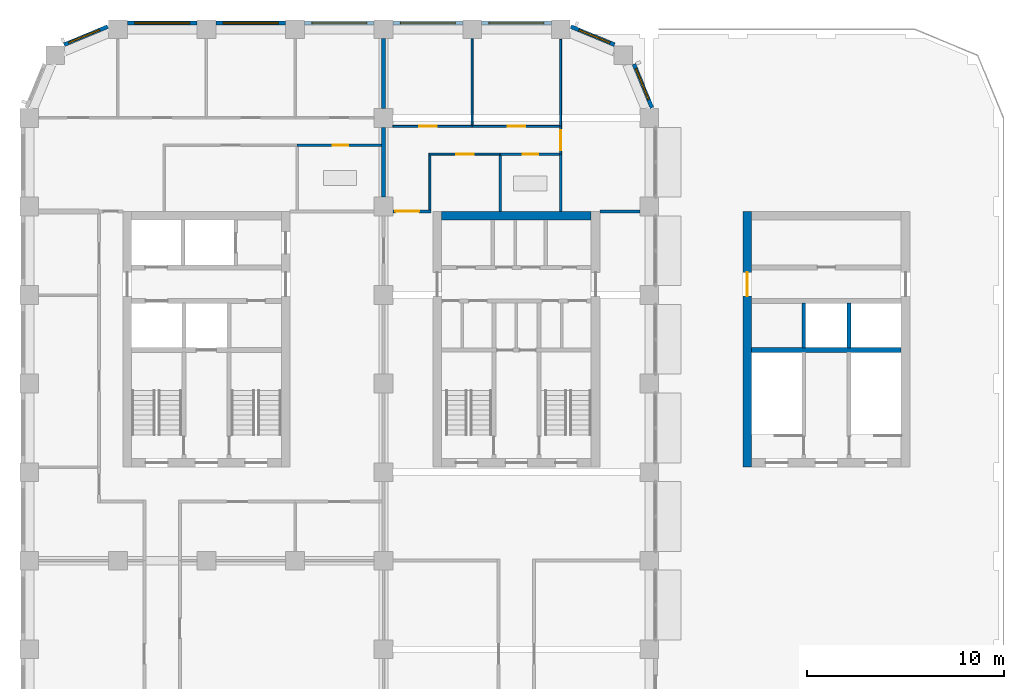
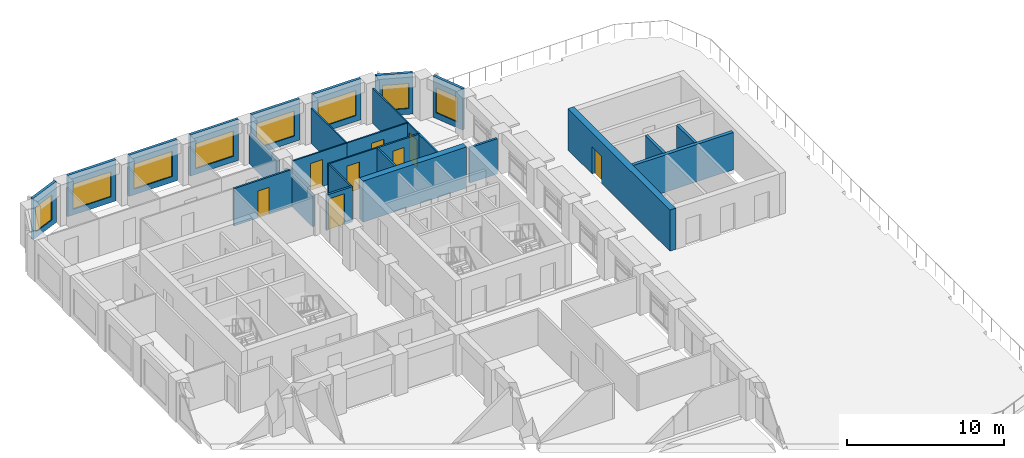
# One storey, part 11 of 15: 28 walls, 8 doors, 8 windows, 16 openings.
"""IFC4 building model written with IfcOpenShell, lengths in metres."""

from ifc_helpers import new_model, si_unit, direction, frame, frame_2d, origin, place, context, subcontext, project, spatial, rectangle, extrude, material, layer, layer_set, type_object, element, fill, save


model = new_model("IFC4")

# Units and contexts
model_context = context("Model", 3, precision=1e-05, world=origin(), true_north=direction((0.0, 1.0)))
body_context = subcontext(model_context, "Body", "Model", "MODEL_VIEW")
ifc_project = project(units=[si_unit("LENGTHUNIT", "METRE"), si_unit("AREAUNIT", "SQUARE_METRE"), si_unit("VOLUMEUNIT", "CUBIC_METRE"), si_unit("PLANEANGLEUNIT", "RADIAN"), si_unit("MASSUNIT", "GRAM", prefix="KILO")], contexts=[model_context])

# Site, building, storey
site_placement = place(None, origin())
site = spatial("IfcSite", under=ifc_project, at=site_placement, CompositionType="ELEMENT")
building_placement = place(site_placement, origin())
building = spatial("IfcBuilding", under=site, at=building_placement, Name="Girih Gate Residences", CompositionType="ELEMENT")
storey_placement = place(building_placement, frame((0.0, 0.0, 176.300048828125)))
storey = spatial("IfcBuildingStorey", under=building, at=storey_placement, Name="L48", CompositionType="ELEMENT", Elevation=176.300048828125)

# Wall, opening, door
ifc_material_1 = material(Name="Gypsum board on steel studs", Category="steel")
ifc_layer_1 = layer(ifc_material_1, 0.14990234375)
ifc_layer_set_1 = layer_set([ifc_layer_1], Name="Compartment wall 150 mm")
wall_type_1 = type_object("IfcWallType", Name="Compartment wall 150 mm", PredefinedType="PARTITIONING", material=ifc_layer_set_1)
wall_1_placement = place(storey_placement, frame((18.47509765625, 40.25, 0.0), z_axis=(0.0, 0.0, 1.0), x_axis=(1.0, 0.0, 0.0)))
wall_1 = element("IfcWall", 1, at=wall_1_placement, inside=storey, type_object=wall_type_1, Name="L48 partition", PredefinedType="PARTITIONING", context=body_context, shape_type="SweptSolid", body=[
    extrude(rectangle(XDim=1.9248046875, YDim=0.14990234375, at=frame_2d((0.96240234375, 0.0))), origin(), (0.0, 0.0, 1.0), 2.75),
])
opening_1_placement = place(wall_1_placement, frame((0.1298828125, 0.0, 0.0)))
opening_1 = element("IfcOpeningElement", 2, at=opening_1_placement, cuts=wall_1, Name="Opening A48-019", PredefinedType="OPENING", context=body_context, shape_type="SweptSolid", body=[
    extrude(rectangle(XDim=1.199951171875, YDim=2.39990234375, at=frame_2d((0.60009765625, 1.199951171875))), frame((0.0, 0.0849609375, 0.0), z_axis=(0.0, -1.0, 0.0), x_axis=(1.0, 0.0, 0.0)), (0.0, 0.0, 1.0), 0.169921875),
])
ifc_material_2 = material(Name="Timber, fire-rated core", Category="wood")
door_type_1 = type_object("IfcDoorType", Name="Villa entrance door 1200x2400 FD30S", OperationType="NOTDEFINED", PredefinedType="DOOR", material=ifc_material_2)
door_1_placement = place(opening_1_placement, origin())
door_1 = element("IfcDoor", 3, at=door_1_placement, inside=storey, type_object=door_type_1, Name="Door A48-019", OperationType="SINGLE_SWING_LEFT", OverallHeight=2.39990234375, OverallWidth=1.199951171875, PredefinedType="DOOR", context=body_context, shape_type="SweptSolid", body=[
    extrude(rectangle(XDim=1.199951171875, YDim=2.39990234375, at=frame_2d((0.60009765625, 1.199951171875))), frame((0.0, 0.02490234375, 0.0), z_axis=(0.0, -1.0, 0.0), x_axis=(1.0, 0.0, 0.0)), (0.0, 0.0, 1.0), 0.050048828125),
])
fill(opening_1, door_1)

# Wall
wall_2_placement = place(storey_placement, frame((29.0, 40.25, 0.0), z_axis=(0.0, 0.0, 1.0), x_axis=(1.0, 0.0, 0.0)))
element("IfcWall", 4, at=wall_2_placement, inside=storey, type_object=wall_type_1, Name="L48 partition", PredefinedType="PARTITIONING", context=body_context, shape_type="SweptSolid", body=[
    extrude(rectangle(XDim=2.02490234375, YDim=0.14990234375, at=frame_2d((1.012451171875, 0.0))), origin(), (0.0, 0.0, 1.0), 2.75),
])

# Wall, opening, door
ifc_material_3 = material(Name="Concrete C60/75", Category="concrete")
ifc_layer_2 = layer(ifc_material_3, 0.449951171875)
ifc_layer_set_2 = layer_set([ifc_layer_2], Name="Core wall RC 450 Concrete C60/75")
wall_type_2 = type_object("IfcWallType", Name="Core wall RC 450 Concrete C60/75", PredefinedType="SOLIDWALL", material=ifc_layer_set_2)
wall_3_placement = place(storey_placement, frame((36.47509765625, 27.25, 0.0), z_axis=(0.0, 0.0, 1.0), x_axis=(0.0, 1.0, 0.0)))
wall_3 = element("IfcWall", 5, at=wall_3_placement, inside=storey, type_object=wall_type_2, Name="Core wall E-W L48", PredefinedType="SOLIDWALL", context=body_context, shape_type="SweptSolid", body=[
    extrude(rectangle(XDim=13.0, YDim=0.449951171875, at=frame_2d((6.5, 0.0))), origin(), (0.0, 0.0, 1.0), 3.199951171875),
])
opening_2_placement = place(wall_3_placement, frame((8.699951171875, 0.0, 0.0)))
opening_2 = element("IfcOpeningElement", 6, at=opening_2_placement, cuts=wall_3, Name="Opening D-L48-E-007", PredefinedType="OPENING", context=body_context, shape_type="SweptSolid", body=[
    extrude(rectangle(XDim=1.199951171875, YDim=2.10009765625, at=frame_2d((0.60009765625, 1.050048828125))), frame((0.0, 0.23486328125, 0.0), z_axis=(0.0, -1.0, 0.0), x_axis=(1.0, 0.0, 0.0)), (0.0, 0.0, 1.0), 0.469970703125),
])
ifc_material_4 = material(Name="Painted steel, fire-resisting", Category="steel")
door_type_2 = type_object("IfcDoorType", Name="Fire door 1200x2100", OperationType="SINGLE_SWING_LEFT", PredefinedType="DOOR", material=ifc_material_4)
door_2_placement = place(opening_2_placement, origin())
door_2 = element("IfcDoor", 7, at=door_2_placement, inside=storey, type_object=door_type_2, Name="L48 E core door ll-w", OperationType="SINGLE_SWING_LEFT", OverallHeight=2.10009765625, OverallWidth=1.199951171875, PredefinedType="DOOR", context=body_context, shape_type="SweptSolid", body=[
    extrude(rectangle(XDim=1.199951171875, YDim=2.10009765625, at=frame_2d((0.60009765625, 1.050048828125))), frame((0.0, 0.02490234375, 0.0), z_axis=(0.0, -1.0, 0.0), x_axis=(1.0, 0.0, 0.0)), (0.0, 0.0, 1.0), 0.050048828125),
])
fill(opening_2, door_2)

# Walls
ifc_material_5 = material(Name="Concrete C40/50", Category="concrete")
ifc_layer_3 = layer(ifc_material_5, 0.25)
ifc_layer_set_3 = layer_set([ifc_layer_3], Name="Lift shaft wall 250")
wall_type_3 = type_object("IfcWallType", Name="Lift shaft wall 250", PredefinedType="SOLIDWALL", material=ifc_layer_set_3)
wall_4_placement = place(storey_placement, frame((36.699951171875, 33.199951171875, 0.0), z_axis=(0.0, 0.0, 1.0), x_axis=(1.0, 0.0, 0.0)))
element("IfcWall", 8, at=wall_4_placement, inside=storey, type_object=wall_type_3, Name="L48 E core wall H1", PredefinedType="SOLIDWALL", context=body_context, shape_type="SweptSolid", body=[
    extrude(rectangle(XDim=7.60009765625, YDim=0.25, at=frame_2d((3.800048828125, 0.0))), origin(), (0.0, 0.0, 1.0), 2.89990234375),
])
ifc_layer_4 = layer(ifc_material_1, 0.10009765625)
ifc_layer_set_4 = layer_set([ifc_layer_4], Name="Partition 100 mm")
wall_type_4 = type_object("IfcWallType", Name="Partition 100 mm", PredefinedType="PARTITIONING", material=ifc_layer_set_4)
wall_5_placement = place(storey_placement, frame((22.5, 44.625, 0.0), z_axis=(0.0, 0.0, 1.0), x_axis=(0.0, 1.0, 0.0)))
element("IfcWall", 9, at=wall_5_placement, inside=storey, type_object=wall_type_4, Name="L48 partition", PredefinedType="PARTITIONING", context=body_context, shape_type="SweptSolid", body=[
    extrude(rectangle(XDim=4.39990234375, YDim=0.10009765625, at=frame_2d((2.199951171875, 0.0))), origin(), (0.0, 0.0, 1.0), 2.75),
])

# Wall, opening, door
wall_6_placement = place(storey_placement, frame((18.47509765625, 44.574951171875, 0.0), z_axis=(0.0, 0.0, 1.0), x_axis=(1.0, 0.0, 0.0)))
wall_6 = element("IfcWall", 10, at=wall_6_placement, inside=storey, type_object=wall_type_4, Name="L48 partition", PredefinedType="PARTITIONING", context=body_context, shape_type="SweptSolid", body=[
    extrude(rectangle(XDim=4.02490234375, YDim=0.10009765625, at=frame_2d((2.012451171875, 0.0))), origin(), (0.0, 0.0, 1.0), 2.75),
])
opening_3_placement = place(wall_6_placement, frame((1.324951171875, 0.0, 0.0)))
opening_3 = element("IfcOpeningElement", 11, at=opening_3_placement, cuts=wall_6, Name="Opening A48-015", PredefinedType="OPENING", context=body_context, shape_type="SweptSolid", body=[
    extrude(rectangle(XDim=0.89990234375, YDim=2.10009765625, at=frame_2d((0.449951171875, 1.050048828125))), frame((0.0, 0.06005859375, 0.0), z_axis=(0.0, -1.0, 0.0), x_axis=(1.0, 0.0, 0.0)), (0.0, 0.0, 1.0), 0.1201171875),
])
ifc_material_6 = material(Name="Timber", Category="wood")
door_type_3 = type_object("IfcDoorType", Name="Bedroom door 900x2100", OperationType="NOTDEFINED", PredefinedType="DOOR", material=ifc_material_6)
door_3_placement = place(opening_3_placement, origin())
door_3 = element("IfcDoor", 12, at=door_3_placement, inside=storey, type_object=door_type_3, Name="Door A48-015", OperationType="SINGLE_SWING_LEFT", OverallHeight=2.10009765625, OverallWidth=0.89990234375, PredefinedType="DOOR", context=body_context, shape_type="SweptSolid", body=[
    extrude(rectangle(XDim=0.89990234375, YDim=2.10009765625, at=frame_2d((0.449951171875, 1.050048828125))), frame((0.0, 0.02490234375, 0.0), z_axis=(0.0, -1.0, 0.0), x_axis=(1.0, 0.0, 0.0)), (0.0, 0.0, 1.0), 0.050048828125),
])
fill(opening_3, door_3)

wall_7_placement = place(storey_placement, frame((22.5, 44.574951171875, 0.0), z_axis=(0.0, 0.0, 1.0), x_axis=(1.0, 0.0, 0.0)))
wall_7 = element("IfcWall", 13, at=wall_7_placement, inside=storey, type_object=wall_type_4, Name="L48 partition", PredefinedType="PARTITIONING", context=body_context, shape_type="SweptSolid", body=[
    extrude(rectangle(XDim=4.449951171875, YDim=0.10009765625, at=frame_2d((2.22509765625, 0.0))), origin(), (0.0, 0.0, 1.0), 2.75),
])
opening_4_placement = place(wall_7_placement, frame((1.800048828125, 0.0, 0.0)))
opening_4 = element("IfcOpeningElement", 14, at=opening_4_placement, cuts=wall_7, Name="Opening A48-016", PredefinedType="OPENING", context=body_context, shape_type="SweptSolid", body=[
    extrude(rectangle(XDim=0.89990234375, YDim=2.10009765625, at=frame_2d((0.449951171875, 1.050048828125))), frame((0.0, 0.06005859375, 0.0), z_axis=(0.0, -1.0, 0.0), x_axis=(1.0, 0.0, 0.0)), (0.0, 0.0, 1.0), 0.1201171875),
])
door_4_placement = place(opening_4_placement, origin())
door_4 = element("IfcDoor", 15, at=door_4_placement, inside=storey, type_object=door_type_3, Name="Door A48-016", OperationType="SINGLE_SWING_RIGHT", OverallHeight=2.10009765625, OverallWidth=0.89990234375, PredefinedType="DOOR", context=body_context, shape_type="SweptSolid", body=[
    extrude(rectangle(XDim=0.89990234375, YDim=2.10009765625, at=frame_2d((0.449951171875, 1.050048828125))), frame((0.0, 0.02490234375, 0.0), z_axis=(0.0, -1.0, 0.0), x_axis=(1.0, 0.0, 0.0)), (0.0, 0.0, 1.0), 0.050048828125),
])
fill(opening_4, door_4)

# Wall
wall_8_placement = place(storey_placement, frame((27.0, 44.574951171875, 0.0), z_axis=(0.0, 0.0, 1.0), x_axis=(0.0, 1.0, 0.0)))
element("IfcWall", 16, at=wall_8_placement, inside=storey, type_object=wall_type_4, Name="L48 partition", PredefinedType="PARTITIONING", context=body_context, shape_type="SweptSolid", body=[
    extrude(rectangle(XDim=4.410888671875, YDim=0.10009765625, at=frame_2d((2.20556640625, 0.0))), origin(), (0.0, 0.0, 1.0), 2.75),
])

# Wall, opening, door
wall_9_placement = place(storey_placement, frame((23.921142578125, 43.155029296875, 0.0), z_axis=(0.0, 0.0, 1.0), x_axis=(-1.0, 0.0, 0.0)))
wall_9 = element("IfcWall", 17, at=wall_9_placement, inside=storey, type_object=wall_type_4, Name="L48 partition", PredefinedType="PARTITIONING", context=body_context, shape_type="SweptSolid", body=[
    extrude(rectangle(XDim=3.62109375, YDim=0.10009765625, at=frame_2d((1.810546875, 0.0))), origin(), (0.0, 0.0, 1.0), 2.75),
])
opening_5_placement = place(wall_9_placement, frame((1.33544921875, 0.0, 0.0)))
opening_5 = element("IfcOpeningElement", 18, at=opening_5_placement, cuts=wall_9, Name="Opening A48-017", PredefinedType="OPENING", context=body_context, shape_type="SweptSolid", body=[
    extrude(rectangle(XDim=0.89990234375, YDim=2.10009765625, at=frame_2d((0.449951171875, 1.050048828125))), frame((0.0, 0.06005859375, 0.0), z_axis=(0.0, -1.0, 0.0), x_axis=(1.0, 0.0, 0.0)), (0.0, 0.0, 1.0), 0.1201171875),
])
door_type_4 = type_object("IfcDoorType", Name="Kitchen door 900x2100", OperationType="NOTDEFINED", PredefinedType="DOOR", material=ifc_material_6)
door_5_placement = place(opening_5_placement, origin())
door_5 = element("IfcDoor", 19, at=door_5_placement, inside=storey, type_object=door_type_4, Name="Door A48-017", OperationType="SINGLE_SWING_LEFT", OverallHeight=2.10009765625, OverallWidth=0.89990234375, PredefinedType="DOOR", context=body_context, shape_type="SweptSolid", body=[
    extrude(rectangle(XDim=0.89990234375, YDim=2.10009765625, at=frame_2d((0.449951171875, 1.050048828125))), frame((0.0, 0.02490234375, 0.0), z_axis=(0.0, -1.0, 0.0), x_axis=(1.0, 0.0, 0.0)), (0.0, 0.0, 1.0), 0.050048828125),
])
fill(opening_5, door_5)

# Wall
wall_10_placement = place(storey_placement, frame((20.35009765625, 40.324951171875, 0.0), z_axis=(0.0, 0.0, 1.0), x_axis=(0.0, 1.0, 0.0)))
element("IfcWall", 20, at=wall_10_placement, inside=storey, type_object=wall_type_4, Name="L48 partition", PredefinedType="PARTITIONING", context=body_context, shape_type="SweptSolid", body=[
    extrude(rectangle(XDim=2.780029296875, YDim=0.10009765625, at=frame_2d((1.39013671875, 0.0))), origin(), (0.0, 0.0, 1.0), 2.75),
])

# Wall, opening, door
wall_11_placement = place(storey_placement, frame((27.0, 44.574951171875, 0.0), z_axis=(0.0, 0.0, 1.0), x_axis=(0.0, -1.0, 0.0)))
wall_11 = element("IfcWall", 21, at=wall_11_placement, inside=storey, type_object=wall_type_4, Name="L48 partition", PredefinedType="PARTITIONING", context=body_context, shape_type="SweptSolid", body=[
    extrude(rectangle(XDim=1.419921875, YDim=0.10009765625, at=frame_2d((0.7099609375, 0.0))), origin(), (0.0, 0.0, 1.0), 2.75),
])
opening_6_placement = place(wall_11_placement, frame((0.2099609375, 0.0, 0.0)))
opening_6 = element("IfcOpeningElement", 22, at=opening_6_placement, cuts=wall_11, Name="Opening A48-018", PredefinedType="OPENING", context=body_context, shape_type="SweptSolid", body=[
    extrude(rectangle(XDim=1.0, YDim=2.10009765625, at=frame_2d((0.5, 1.050048828125))), frame((0.0, 0.06005859375, 0.0), z_axis=(0.0, -1.0, 0.0), x_axis=(1.0, 0.0, 0.0)), (0.0, 0.0, 1.0), 0.1201171875),
])
door_type_5 = type_object("IfcDoorType", Name="Living room door 1000x2100", OperationType="NOTDEFINED", PredefinedType="DOOR", material=ifc_material_6)
door_6_placement = place(opening_6_placement, origin())
door_6 = element("IfcDoor", 23, at=door_6_placement, inside=storey, type_object=door_type_5, Name="Door A48-018", OperationType="SINGLE_SWING_RIGHT", OverallHeight=2.10009765625, OverallWidth=1.0, PredefinedType="DOOR", context=body_context, shape_type="SweptSolid", body=[
    extrude(rectangle(XDim=1.0, YDim=2.10009765625, at=frame_2d((0.5, 1.050048828125))), frame((0.0, 0.02490234375, 0.0), z_axis=(0.0, -1.0, 0.0), x_axis=(1.0, 0.0, 0.0)), (0.0, 0.0, 1.0), 0.050048828125),
])
fill(opening_6, door_6)

# Walls
ifc_layer_5 = layer(ifc_material_1, 0.199951171875)
ifc_layer_set_5 = layer_set([ifc_layer_5], Name="Party wall 200 mm")
wall_type_5 = type_object("IfcWallType", Name="Party wall 200 mm", PredefinedType="PARTITIONING", material=ifc_layer_set_5)
for number, where, z_axis, x_axis, name in (
    (24, (18.0, 40.97509765625, 0.0), (0.0, 0.0, 1.0), (0.0, 1.0, 0.0), "L48 partition"),
    (25, (18.0, 45.47509765625, 0.0), (0.0, 0.0, 1.0), (0.0, 1.0, 0.0), "L48 partition"),
):
    element("IfcWall", number, at=place(storey_placement, frame(where, z_axis=z_axis, x_axis=x_axis)), inside=storey, type_object=wall_type_5, Name=name, PredefinedType="PARTITIONING", context=body_context, shape_type="SweptSolid", body=[
        extrude(rectangle(XDim=3.5498046875, YDim=0.199951171875, at=frame_2d((1.77490234375, 0.0))), origin(), (0.0, 0.0, 1.0), 2.3798828125),
    ])

# Wall, opening, window
ifc_material_7 = material(Name="Precast concrete C50/60", Category="concrete")
ifc_layer_6 = layer(ifc_material_7, 0.06005859375, Name="Outer leaf")
ifc_material_8 = material(Name="Rigid PIR insulation")
ifc_layer_7 = layer(ifc_material_8, 0.090087890625, Name="Insulation")
ifc_material_9 = material(Name="Precast concrete C40/50", Category="concrete")
ifc_layer_8 = layer(ifc_material_9, 0.050048828125, Name="Inner leaf")
ifc_layer_set_6 = layer_set([ifc_layer_6, ifc_layer_7, ifc_layer_8], Name="Precast concrete C50/60 external wall 200")
wall_type_6 = type_object("IfcWallType", Name="Precast concrete C50/60 external wall 200", PredefinedType="SOLIDWALL", material=ifc_layer_set_6)
wall_12_placement = place(storey_placement, frame((30.7197265625, 47.73291015625, 0.0), z_axis=(0.0, 0.0, 1.0), x_axis=(0.382680855588, -0.923880599843, 0.0)))
wall_12 = element("IfcWall", 26, at=wall_12_placement, inside=storey, type_object=wall_type_6, Name="External wall NE0315_0450.0", PredefinedType="SOLIDWALL", context=body_context, shape_type="SweptSolid", body=[
    extrude(rectangle(XDim=2.402587890625, YDim=0.199951171875, at=frame_2d((1.201171875, 0.0))), origin(), (0.0, 0.0, 1.0), 3.199951171875),
])
opening_7_placement = place(wall_12_placement, frame((0.25146484375, 0.0, 0.449951171875)))
opening_7 = element("IfcOpeningElement", 27, at=opening_7_placement, cuts=wall_12, Name="Opening W-2E", PredefinedType="OPENING", context=body_context, shape_type="SweptSolid", body=[
    extrude(rectangle(XDim=1.699951171875, YDim=1.949951171875, at=frame_2d((0.85009765625, 0.97509765625))), frame((0.0, 0.10986328125, 0.0), z_axis=(0.0, -1.0, 0.0), x_axis=(1.0, 0.0, 0.0)), (0.0, 0.0, 1.0), 0.219970703125),
])
ifc_material_10 = material(Name="Double glazing in aluminium frame", Category="aluminium")
window_type_1 = type_object("IfcWindowType", Name="Window W-2E 1700x1950", PartitioningType="SINGLE_PANEL", PredefinedType="WINDOW", material=ifc_material_10)
window_1_placement = place(opening_7_placement, origin())
window_1 = element("IfcWindow", 28, at=window_1_placement, inside=storey, type_object=window_type_1, Name="Window W-2E NE0315_0450.0", OverallHeight=1.949951171875, OverallWidth=1.699951171875, PartitioningType="SINGLE_PANEL", PredefinedType="WINDOW", context=body_context, shape_type="SweptSolid", body=[
    extrude(rectangle(XDim=1.699951171875, YDim=1.949951171875, at=frame_2d((0.85009765625, 0.97509765625))), frame((0.0, 0.030029296875, 0.0), z_axis=(0.0, -1.0, 0.0), x_axis=(1.0, 0.0, 0.0)), (0.0, 0.0, 1.0), 0.06005859375),
])
fill(opening_7, window_1)

wall_13_placement = place(storey_placement, frame((27.51318359375, 49.63916015625, 0.0), z_axis=(0.0, 0.0, 1.0), x_axis=(0.923880599843, -0.382680855588, 0.0)))
wall_13 = element("IfcWall", 29, at=wall_13_placement, inside=storey, type_object=wall_type_6, Name="External wall NE0302_0482.0", PredefinedType="SOLIDWALL", context=body_context, shape_type="SweptSolid", body=[
    extrude(rectangle(XDim=2.402587890625, YDim=0.199951171875, at=frame_2d((1.201171875, 0.0))), origin(), (0.0, 0.0, 1.0), 3.199951171875),
])
opening_8_placement = place(wall_13_placement, frame((0.451171875, 0.0, 0.449951171875)))
opening_8 = element("IfcOpeningElement", 30, at=opening_8_placement, cuts=wall_13, Name="Opening W-2E", PredefinedType="OPENING", context=body_context, shape_type="SweptSolid", body=[
    extrude(rectangle(XDim=1.699951171875, YDim=1.949951171875, at=frame_2d((0.85009765625, 0.97509765625))), frame((0.0, 0.10986328125, 0.0), z_axis=(0.0, -1.0, 0.0), x_axis=(1.0, 0.0, 0.0)), (0.0, 0.0, 1.0), 0.219970703125),
])
window_2_placement = place(opening_8_placement, origin())
window_2 = element("IfcWindow", 31, at=window_2_placement, inside=storey, type_object=window_type_1, Name="Window W-2E NE0302_0482.0", OverallHeight=1.949951171875, OverallWidth=1.699951171875, PartitioningType="SINGLE_PANEL", PredefinedType="WINDOW", context=body_context, shape_type="SweptSolid", body=[
    extrude(rectangle(XDim=1.699951171875, YDim=1.949951171875, at=frame_2d((0.85009765625, 0.97509765625))), frame((0.0, 0.030029296875, 0.0), z_axis=(0.0, -1.0, 0.0), x_axis=(1.0, 0.0, 0.0)), (0.0, 0.0, 1.0), 0.06005859375),
])
fill(opening_8, window_2)

wall_14_placement = place(storey_placement, frame((22.97509765625, 49.824951171875, 0.0), z_axis=(0.0, 0.0, 1.0), x_axis=(1.0, 0.0, 0.0)))
wall_14 = element("IfcWall", 32, at=wall_14_placement, inside=storey, type_object=wall_type_6, Name="External wall N0270_0495.0", PredefinedType="SOLIDWALL", context=body_context, shape_type="SweptSolid", body=[
    extrude(rectangle(XDim=3.5498046875, YDim=0.199951171875, at=frame_2d((1.77490234375, 0.0))), origin(), (0.0, 0.0, 1.0), 3.199951171875),
])
opening_9_placement = place(wall_14_placement, frame((0.375, 0.0, 0.449951171875)))
opening_9 = element("IfcOpeningElement", 33, at=opening_9_placement, cuts=wall_14, Name="Opening W-1B", PredefinedType="OPENING", context=body_context, shape_type="SweptSolid", body=[
    extrude(rectangle(XDim=2.800048828125, YDim=1.949951171875, at=frame_2d((1.39990234375, 0.97509765625))), frame((0.0, 0.10986328125, 0.0), z_axis=(0.0, -1.0, 0.0), x_axis=(1.0, 0.0, 0.0)), (0.0, 0.0, 1.0), 0.219970703125),
])
window_type_2 = type_object("IfcWindowType", Name="Window W-1B 2800x1950", PartitioningType="SINGLE_PANEL", PredefinedType="WINDOW", material=ifc_material_10)
window_3_placement = place(opening_9_placement, origin())
window_3 = element("IfcWindow", 34, at=window_3_placement, inside=storey, type_object=window_type_2, Name="Window W-1B N0270_0495.0", OverallHeight=1.949951171875, OverallWidth=2.800048828125, PartitioningType="SINGLE_PANEL", PredefinedType="WINDOW", context=body_context, shape_type="SweptSolid", body=[
    extrude(rectangle(XDim=2.800048828125, YDim=1.949951171875, at=frame_2d((1.39990234375, 0.97509765625))), frame((0.0, 0.030029296875, 0.0), z_axis=(0.0, -1.0, 0.0), x_axis=(1.0, 0.0, 0.0)), (0.0, 0.0, 1.0), 0.06005859375),
])
fill(opening_9, window_3)

wall_15_placement = place(storey_placement, frame((18.47509765625, 49.824951171875, 0.0), z_axis=(0.0, 0.0, 1.0), x_axis=(1.0, 0.0, 0.0)))
wall_15 = element("IfcWall", 35, at=wall_15_placement, inside=storey, type_object=wall_type_6, Name="External wall N0270_0495.1", PredefinedType="SOLIDWALL", context=body_context, shape_type="SweptSolid", body=[
    extrude(rectangle(XDim=3.5498046875, YDim=0.199951171875, at=frame_2d((1.77490234375, 0.0))), origin(), (0.0, 0.0, 1.0), 3.199951171875),
])
opening_10_placement = place(wall_15_placement, frame((0.375, 0.0, 0.449951171875)))
opening_10 = element("IfcOpeningElement", 36, at=opening_10_placement, cuts=wall_15, Name="Opening W-1B", PredefinedType="OPENING", context=body_context, shape_type="SweptSolid", body=[
    extrude(rectangle(XDim=2.800048828125, YDim=1.949951171875, at=frame_2d((1.39990234375, 0.97509765625))), frame((0.0, 0.10986328125, 0.0), z_axis=(0.0, -1.0, 0.0), x_axis=(1.0, 0.0, 0.0)), (0.0, 0.0, 1.0), 0.219970703125),
])
window_4_placement = place(opening_10_placement, origin())
window_4 = element("IfcWindow", 37, at=window_4_placement, inside=storey, type_object=window_type_2, Name="Window W-1B N0270_0495.1", OverallHeight=1.949951171875, OverallWidth=2.800048828125, PartitioningType="SINGLE_PANEL", PredefinedType="WINDOW", context=body_context, shape_type="SweptSolid", body=[
    extrude(rectangle(XDim=2.800048828125, YDim=1.949951171875, at=frame_2d((1.39990234375, 0.97509765625))), frame((0.0, 0.030029296875, 0.0), z_axis=(0.0, -1.0, 0.0), x_axis=(1.0, 0.0, 0.0)), (0.0, 0.0, 1.0), 0.06005859375),
])
fill(opening_10, window_4)

wall_16_placement = place(storey_placement, frame((13.97509765625, 49.824951171875, 0.0), z_axis=(0.0, 0.0, 1.0), x_axis=(1.0, 0.0, 0.0)))
wall_16 = element("IfcWall", 38, at=wall_16_placement, inside=storey, type_object=wall_type_6, Name="External wall N0270_0495.2", PredefinedType="SOLIDWALL", context=body_context, shape_type="SweptSolid", body=[
    extrude(rectangle(XDim=3.5498046875, YDim=0.199951171875, at=frame_2d((1.77490234375, 0.0))), origin(), (0.0, 0.0, 1.0), 3.199951171875),
])
opening_11_placement = place(wall_16_placement, frame((0.375, 0.0, 0.449951171875)))
opening_11 = element("IfcOpeningElement", 39, at=opening_11_placement, cuts=wall_16, Name="Opening W-1B", PredefinedType="OPENING", context=body_context, shape_type="SweptSolid", body=[
    extrude(rectangle(XDim=2.800048828125, YDim=1.949951171875, at=frame_2d((1.39990234375, 0.97509765625))), frame((0.0, 0.10986328125, 0.0), z_axis=(0.0, -1.0, 0.0), x_axis=(1.0, 0.0, 0.0)), (0.0, 0.0, 1.0), 0.219970703125),
])
window_5_placement = place(opening_11_placement, origin())
window_5 = element("IfcWindow", 40, at=window_5_placement, inside=storey, type_object=window_type_2, Name="Window W-1B N0270_0495.2", OverallHeight=1.949951171875, OverallWidth=2.800048828125, PartitioningType="SINGLE_PANEL", PredefinedType="WINDOW", context=body_context, shape_type="SweptSolid", body=[
    extrude(rectangle(XDim=2.800048828125, YDim=1.949951171875, at=frame_2d((1.39990234375, 0.97509765625))), frame((0.0, 0.030029296875, 0.0), z_axis=(0.0, -1.0, 0.0), x_axis=(1.0, 0.0, 0.0)), (0.0, 0.0, 1.0), 0.06005859375),
])
fill(opening_11, window_5)

wall_17_placement = place(storey_placement, frame((9.47509765625, 49.824951171875, 0.0), z_axis=(0.0, 0.0, 1.0), x_axis=(1.0, 0.0, 0.0)))
wall_17 = element("IfcWall", 41, at=wall_17_placement, inside=storey, type_object=wall_type_6, Name="External wall N0270_0495.3", PredefinedType="SOLIDWALL", context=body_context, shape_type="SweptSolid", body=[
    extrude(rectangle(XDim=3.5498046875, YDim=0.199951171875, at=frame_2d((1.77490234375, 0.0))), origin(), (0.0, 0.0, 1.0), 3.199951171875),
])
opening_12_placement = place(wall_17_placement, frame((0.375, 0.0, 0.449951171875)))
opening_12 = element("IfcOpeningElement", 42, at=opening_12_placement, cuts=wall_17, Name="Opening W-1B", PredefinedType="OPENING", context=body_context, shape_type="SweptSolid", body=[
    extrude(rectangle(XDim=2.800048828125, YDim=1.949951171875, at=frame_2d((1.39990234375, 0.97509765625))), frame((0.0, 0.10986328125, 0.0), z_axis=(0.0, -1.0, 0.0), x_axis=(1.0, 0.0, 0.0)), (0.0, 0.0, 1.0), 0.219970703125),
])
window_6_placement = place(opening_12_placement, origin())
window_6 = element("IfcWindow", 43, at=window_6_placement, inside=storey, type_object=window_type_2, Name="Window W-1B N0270_0495.3", OverallHeight=1.949951171875, OverallWidth=2.800048828125, PartitioningType="SINGLE_PANEL", PredefinedType="WINDOW", context=body_context, shape_type="SweptSolid", body=[
    extrude(rectangle(XDim=2.800048828125, YDim=1.949951171875, at=frame_2d((1.39990234375, 0.97509765625))), frame((0.0, 0.030029296875, 0.0), z_axis=(0.0, -1.0, 0.0), x_axis=(1.0, 0.0, 0.0)), (0.0, 0.0, 1.0), 0.06005859375),
])
fill(opening_12, window_6)

wall_18_placement = place(storey_placement, frame((4.97509765625, 49.824951171875, 0.0), z_axis=(0.0, 0.0, 1.0), x_axis=(1.0, 0.0, 0.0)))
wall_18 = element("IfcWall", 44, at=wall_18_placement, inside=storey, type_object=wall_type_6, Name="External wall N0270_0495.4", PredefinedType="SOLIDWALL", context=body_context, shape_type="SweptSolid", body=[
    extrude(rectangle(XDim=3.5498046875, YDim=0.199951171875, at=frame_2d((1.77490234375, 0.0))), origin(), (0.0, 0.0, 1.0), 3.199951171875),
])
opening_13_placement = place(wall_18_placement, frame((0.375, 0.0, 0.449951171875)))
opening_13 = element("IfcOpeningElement", 45, at=opening_13_placement, cuts=wall_18, Name="Opening W-1B", PredefinedType="OPENING", context=body_context, shape_type="SweptSolid", body=[
    extrude(rectangle(XDim=2.800048828125, YDim=1.949951171875, at=frame_2d((1.39990234375, 0.97509765625))), frame((0.0, 0.10986328125, 0.0), z_axis=(0.0, -1.0, 0.0), x_axis=(1.0, 0.0, 0.0)), (0.0, 0.0, 1.0), 0.219970703125),
])
window_7_placement = place(opening_13_placement, origin())
window_7 = element("IfcWindow", 46, at=window_7_placement, inside=storey, type_object=window_type_2, Name="Window W-1B N0270_0495.4", OverallHeight=1.949951171875, OverallWidth=2.800048828125, PartitioningType="SINGLE_PANEL", PredefinedType="WINDOW", context=body_context, shape_type="SweptSolid", body=[
    extrude(rectangle(XDim=2.800048828125, YDim=1.949951171875, at=frame_2d((1.39990234375, 0.97509765625))), frame((0.0, 0.030029296875, 0.0), z_axis=(0.0, -1.0, 0.0), x_axis=(1.0, 0.0, 0.0)), (0.0, 0.0, 1.0), 0.06005859375),
])
fill(opening_13, window_7)

wall_19_placement = place(storey_placement, frame((1.76708984375, 48.7197265625, 0.0), z_axis=(0.0, 0.0, 1.0), x_axis=(0.923880599843, 0.382680855588, 0.0)))
wall_19 = element("IfcWall", 47, at=wall_19_placement, inside=storey, type_object=wall_type_6, Name="External wall NW0045_0495.0", PredefinedType="SOLIDWALL", context=body_context, shape_type="SweptSolid", body=[
    extrude(rectangle(XDim=2.402587890625, YDim=0.199951171875, at=frame_2d((1.201171875, 0.0))), origin(), (0.0, 0.0, 1.0), 3.199951171875),
])
opening_14_placement = place(wall_19_placement, frame((0.25146484375, 0.0, 0.449951171875)))
opening_14 = element("IfcOpeningElement", 48, at=opening_14_placement, cuts=wall_19, Name="Opening W-2E", PredefinedType="OPENING", context=body_context, shape_type="SweptSolid", body=[
    extrude(rectangle(XDim=1.699951171875, YDim=1.949951171875, at=frame_2d((0.85009765625, 0.97509765625))), frame((0.0, 0.10986328125, 0.0), z_axis=(0.0, -1.0, 0.0), x_axis=(1.0, 0.0, 0.0)), (0.0, 0.0, 1.0), 0.219970703125),
])
window_8_placement = place(opening_14_placement, origin())
window_8 = element("IfcWindow", 49, at=window_8_placement, inside=storey, type_object=window_type_1, Name="Window W-2E NW0045_0495.0", OverallHeight=1.949951171875, OverallWidth=1.699951171875, PartitioningType="SINGLE_PANEL", PredefinedType="WINDOW", context=body_context, shape_type="SweptSolid", body=[
    extrude(rectangle(XDim=1.699951171875, YDim=1.949951171875, at=frame_2d((0.85009765625, 0.97509765625))), frame((0.0, 0.030029296875, 0.0), z_axis=(0.0, -1.0, 0.0), x_axis=(1.0, 0.0, 0.0)), (0.0, 0.0, 1.0), 0.06005859375),
])
fill(opening_14, window_8)

# Walls
ifc_layer_9 = layer(ifc_material_5, 0.199951171875)
ifc_layer_set_7 = layer_set([ifc_layer_9], Name="Shaft wall 200")
wall_type_7 = type_object("IfcWallType", Name="Shaft wall 200", PredefinedType="SOLIDWALL", material=ifc_layer_set_7)
for number, where, z_axis, x_axis, name in (
    (50, (41.64990234375, 33.300048828125, 0.0), (0.0, 0.0, 1.0), (0.0, 1.0, 0.0), "L48 E core wall V1b"),
    (51, (39.35009765625, 33.300048828125, 0.0), (0.0, 0.0, 1.0), (0.0, 1.0, 0.0), "L48 E core wall V2b"),
):
    element("IfcWall", number, at=place(storey_placement, frame(where, z_axis=z_axis, x_axis=x_axis)), inside=storey, type_object=wall_type_7, Name=name, PredefinedType="SOLIDWALL", context=body_context, shape_type="SweptSolid", body=[
        extrude(rectangle(XDim=2.300048828125, YDim=0.199951171875, at=frame_2d((1.14990234375, 0.0))), origin(), (0.0, 0.0, 1.0), 2.89990234375),
    ])
ifc_layer_10 = layer(ifc_material_5, 0.449951171875)
ifc_layer_set_8 = layer_set([ifc_layer_10], Name="Stair core wall RC 450 Concrete C40/50")
wall_type_8 = type_object("IfcWallType", Name="Stair core wall RC 450 Concrete C40/50", PredefinedType="SOLIDWALL", material=ifc_layer_set_8)
wall_20_placement = place(storey_placement, frame((20.949951171875, 40.02490234375, 0.0), z_axis=(0.0, 0.0, 1.0), x_axis=(1.0, 0.0, 0.0)))
element("IfcWall", 52, at=wall_20_placement, inside=storey, type_object=wall_type_8, Name="Stair core wall C-N L48", PredefinedType="SOLIDWALL", context=body_context, shape_type="SweptSolid", body=[
    extrude(rectangle(XDim=7.60009765625, YDim=0.449951171875, at=frame_2d((3.800048828125, 0.0))), origin(), (0.0, 0.0, 1.0), 3.199951171875),
])

# Wall, opening, door
ifc_layer_11 = layer(ifc_material_1, 0.125)
ifc_layer_set_9 = layer_set([ifc_layer_11], Name="Wet room wall 125 mm")
wall_type_9 = type_object("IfcWallType", Name="Wet room wall 125 mm", PredefinedType="PARTITIONING", material=ifc_layer_set_9)
wall_21_placement = place(storey_placement, frame((17.89990234375, 43.6201171875, 0.0), z_axis=(0.0, 0.0, 1.0), x_axis=(-1.0, 0.0, 0.0)))
wall_21 = element("IfcWall", 53, at=wall_21_placement, inside=storey, type_object=wall_type_9, Name="L48 partition", PredefinedType="PARTITIONING", context=body_context, shape_type="SweptSolid", body=[
    extrude(rectangle(XDim=4.289794921875, YDim=0.125, at=frame_2d((2.14501953125, 0.0))), origin(), (0.0, 0.0, 1.0), 2.89990234375),
])
opening_15_placement = place(wall_21_placement, frame((1.69482421875, 0.0, 0.0)))
opening_15 = element("IfcOpeningElement", 54, at=opening_15_placement, cuts=wall_21, Name="Opening A48-007", PredefinedType="OPENING", context=body_context, shape_type="SweptSolid", body=[
    extrude(rectangle(XDim=0.800048828125, YDim=2.10009765625, at=frame_2d((0.39990234375, 1.050048828125))), frame((0.0, 0.072509765625, 0.0), z_axis=(0.0, -1.0, 0.0), x_axis=(1.0, 0.0, 0.0)), (0.0, 0.0, 1.0), 0.14501953125),
])
door_type_6 = type_object("IfcDoorType", Name="Bathroom door 800x2100", OperationType="NOTDEFINED", PredefinedType="DOOR", material=ifc_material_6)
door_7_placement = place(opening_15_placement, origin())
door_7 = element("IfcDoor", 55, at=door_7_placement, inside=storey, type_object=door_type_6, Name="Door A48-007", OperationType="SINGLE_SWING_LEFT", OverallHeight=2.10009765625, OverallWidth=0.800048828125, PredefinedType="DOOR", context=body_context, shape_type="SweptSolid", body=[
    extrude(rectangle(XDim=0.800048828125, YDim=2.10009765625, at=frame_2d((0.39990234375, 1.050048828125))), frame((0.0, 0.02490234375, 0.0), z_axis=(0.0, -1.0, 0.0), x_axis=(1.0, 0.0, 0.0)), (0.0, 0.0, 1.0), 0.050048828125),
])
fill(opening_15, door_7)

wall_22_placement = place(storey_placement, frame((26.9375, 43.155029296875, 0.0), z_axis=(0.0, 0.0, 1.0), x_axis=(-1.0, 0.0, 0.0)))
wall_22 = element("IfcWall", 56, at=wall_22_placement, inside=storey, type_object=wall_type_9, Name="L48 partition", PredefinedType="PARTITIONING", context=body_context, shape_type="SweptSolid", body=[
    extrude(rectangle(XDim=3.016357421875, YDim=0.125, at=frame_2d((1.50830078125, 0.0))), origin(), (0.0, 0.0, 1.0), 2.75),
])
opening_16_placement = place(wall_22_placement, frame((1.076904296875, 0.0, 0.0)))
opening_16 = element("IfcOpeningElement", 57, at=opening_16_placement, cuts=wall_22, Name="Opening A48-014", PredefinedType="OPENING", context=body_context, shape_type="SweptSolid", body=[
    extrude(rectangle(XDim=0.800048828125, YDim=2.10009765625, at=frame_2d((0.39990234375, 1.050048828125))), frame((0.0, 0.072509765625, 0.0), z_axis=(0.0, -1.0, 0.0), x_axis=(1.0, 0.0, 0.0)), (0.0, 0.0, 1.0), 0.14501953125),
])
door_8_placement = place(opening_16_placement, origin())
door_8 = element("IfcDoor", 58, at=door_8_placement, inside=storey, type_object=door_type_6, Name="Door A48-014", OperationType="SINGLE_SWING_LEFT", OverallHeight=2.10009765625, OverallWidth=0.800048828125, PredefinedType="DOOR", context=body_context, shape_type="SweptSolid", body=[
    extrude(rectangle(XDim=0.800048828125, YDim=2.10009765625, at=frame_2d((0.39990234375, 1.050048828125))), frame((0.0, 0.02490234375, 0.0), z_axis=(0.0, -1.0, 0.0), x_axis=(1.0, 0.0, 0.0)), (0.0, 0.0, 1.0), 0.050048828125),
])
fill(opening_16, door_8)

# Walls
wall_23_placement = place(storey_placement, frame((23.9208984375, 40.25, 0.0), z_axis=(0.0, 0.0, 1.0), x_axis=(0.0, 1.0, 0.0)))
element("IfcWall", 59, at=wall_23_placement, inside=storey, type_object=wall_type_9, Name="L48 partition", PredefinedType="PARTITIONING", context=body_context, shape_type="SweptSolid", body=[
    extrude(rectangle(XDim=2.842529296875, YDim=0.125, at=frame_2d((1.42138671875, 0.0))), origin(), (0.0, 0.0, 1.0), 2.75),
])
wall_24_placement = place(storey_placement, frame((27.0, 40.25, 0.0), z_axis=(0.0, 0.0, 1.0), x_axis=(0.0, 1.0, 0.0)))
element("IfcWall", 60, at=wall_24_placement, inside=storey, type_object=wall_type_9, Name="L48 partition", PredefinedType="PARTITIONING", context=body_context, shape_type="SweptSolid", body=[
    extrude(rectangle(XDim=2.905029296875, YDim=0.125, at=frame_2d((1.45263671875, 0.0))), origin(), (0.0, 0.0, 1.0), 2.75),
])

save(model, "model.ifc")
